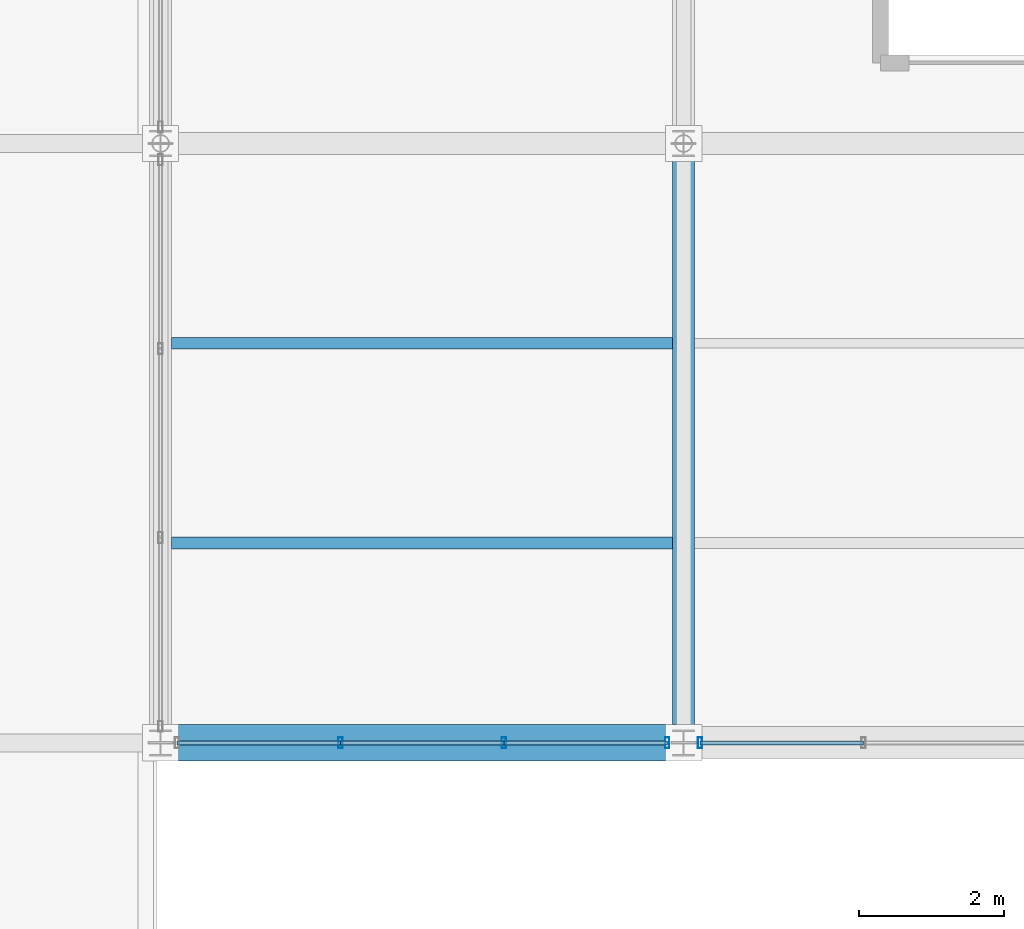
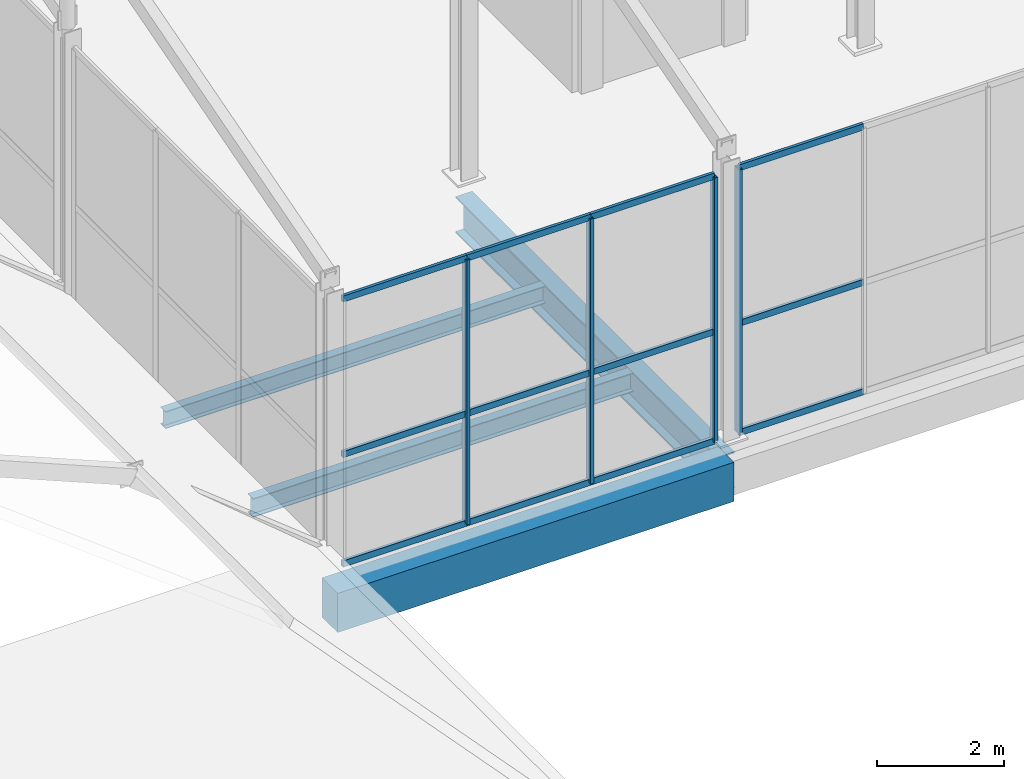
# One storey, part 19 of 141: 16 members, 4 beams, 2 elements without a shape of their own.
"""IFC4 building model written with IfcOpenShell, lengths in metres."""

from ifc_helpers import new_model, si_unit, direction, frame, origin, origin_2d, place, context, subcontext, project, spatial, rectangle, hollow_rectangle, i_section, extrude, material, layer, layer_set, material_profile, profile_set, type_object, element, aggregate, save


model = new_model("IFC4")

# Units and contexts
model_context = context("Model", 3, precision=1e-05, world=origin(), true_north=direction((0.0, 1.0)))
body_context = subcontext(model_context, "Body", "Model", "MODEL_VIEW")
ifc_project = project(units=[si_unit("LENGTHUNIT", "METRE"), si_unit("AREAUNIT", "SQUARE_METRE"), si_unit("VOLUMEUNIT", "CUBIC_METRE"), si_unit("PLANEANGLEUNIT", "RADIAN"), si_unit("MASSUNIT", "GRAM", prefix="KILO")], contexts=[model_context])

# Site, building, storey
site_placement = place(None, origin())
site = spatial("IfcSite", under=ifc_project, at=site_placement, CompositionType="ELEMENT")
building_placement = place(site_placement, origin())
building = spatial("IfcBuilding", under=site, at=building_placement, Name="Sundgate Opera House", CompositionType="ELEMENT")
storey_placement = place(building_placement, frame((0.0, 0.0, 11.39990234375)))
storey = spatial("IfcBuildingStorey", under=building, at=storey_placement, Name="L02", CompositionType="ELEMENT", Elevation=11.39990234375)

# Beams
ifc_material_1 = material(Name="Steel S355J2", Category="steel")
ifc_material_profile_1 = material_profile(ifc_material_1, i_section(OverallWidth=0.300048828125, OverallDepth=0.699951171875, WebThickness=0.01708984375, FlangeThickness=0.031982421875, at=origin_2d()), Name="HEB 700")
ifc_profile_set_1 = profile_set([ifc_material_profile_1], Name="Steel S355J2")
beam_type_1 = type_object("IfcBeamType", Name="BM-GR-HEB700", PredefinedType="BEAM", material=ifc_profile_set_1)
beam_1_placement = place(storey_placement, frame((102.60009765625, 8.25, -0.699951171875), z_axis=(0.0, 1.0, 0.0), x_axis=(-1.0, 0.0, 0.0)))
element("IfcBeam", 1, at=beam_1_placement, inside=storey, type_object=beam_type_1, Name="L02 Primary N-S Girder B1857", PredefinedType="BEAM", context=body_context, shape_type="SweptSolid", body=[
    extrude(i_section(OverallWidth=0.300048828125, OverallDepth=0.699951171875, WebThickness=0.01708984375, FlangeThickness=0.031982421875, at=origin_2d()), origin(), (0.0, 0.0, 1.0), 8.25),
])
ifc_material_2 = material(Name="Steel S355J2", Category="steel")
ifc_material_profile_2 = material_profile(ifc_material_2, i_section(OverallWidth=0.159912109375, OverallDepth=0.330078125, WebThickness=0.007568359375, FlangeThickness=0.011474609375, at=origin_2d()), Name="IPE 330")
ifc_profile_set_2 = profile_set([ifc_material_profile_2], Name="Steel S355J2")
beam_type_2 = type_object("IfcBeamType", Name="BM-JS-IPE330", PredefinedType="JOIST", material=ifc_profile_set_2)
beam_2_placement = place(storey_placement, frame((95.550048828125, 13.75, -0.514892578125), z_axis=(1.0, 0.0, 0.0), x_axis=(0.0, 1.0, 0.0)))
element("IfcBeam", 2, at=beam_2_placement, inside=storey, type_object=beam_type_2, Name="L02 Secondary Floor Joist B2146", PredefinedType="JOIST", context=body_context, shape_type="SweptSolid", body=[
    extrude(i_section(OverallWidth=0.159912109375, OverallDepth=0.330078125, WebThickness=0.007568359375, FlangeThickness=0.011474609375, at=origin_2d()), origin(), (0.0, 0.0, 1.0), 6.89990234375),
])
ifc_material_3 = material(Name="Steel S355J2", Category="steel")
ifc_material_profile_3 = material_profile(ifc_material_3, i_section(OverallWidth=0.169921875, OverallDepth=0.360107421875, WebThickness=0.008056640625, FlangeThickness=0.0126953125, at=origin_2d()), Name="IPE 360")
ifc_profile_set_3 = profile_set([ifc_material_profile_3], Name="Steel S355J2")
beam_type_3 = type_object("IfcBeamType", Name="BM-JS-IPE360", PredefinedType="JOIST", material=ifc_profile_set_3)
beam_3_placement = place(storey_placement, frame((95.550048828125, 11.0, -0.52978515625), z_axis=(1.0, 0.0, 0.0), x_axis=(0.0, 1.0, 0.0)))
element("IfcBeam", 3, at=beam_3_placement, inside=storey, type_object=beam_type_3, Name="L02 Secondary Floor Joist B2145", PredefinedType="JOIST", context=body_context, shape_type="SweptSolid", body=[
    extrude(i_section(OverallWidth=0.169921875, OverallDepth=0.360107421875, WebThickness=0.008056640625, FlangeThickness=0.0126953125, at=origin_2d()), origin(), (0.0, 0.0, 1.0), 6.89990234375),
])
ifc_material_4 = material(Name="Concrete C40/50", Category="concrete")
ifc_material_profile_4 = material_profile(ifc_material_4, rectangle(XDim=0.5, YDim=0.75, at=origin_2d()), Name="RC 500x750")
ifc_profile_set_4 = profile_set([ifc_material_profile_4], Name="Concrete C40/50")
beam_type_4 = type_object("IfcBeamType", Name="BM-RC-500x750", PredefinedType="BEAM", material=ifc_profile_set_4)
beam_4_placement = place(storey_placement, frame((95.39990234375, 8.25, -0.724853515625), z_axis=(1.0, 0.0, 0.0), x_axis=(0.0, 1.0, 0.0)))
element("IfcBeam", 4, at=beam_4_placement, inside=storey, type_object=beam_type_4, Name="L02 Primary E-W Girder B1963", PredefinedType="BEAM", context=body_context, shape_type="SweptSolid", body=[
    extrude(rectangle(XDim=0.5, YDim=0.75, at=origin_2d()), origin(), (0.0, 0.0, 1.0), 7.2001953125),
])

# Curtain wall, members
ifc_material_5 = material(Name="Anodized aluminium and low-iron glass", Category="aluminium")
ifc_layer = layer(ifc_material_5, 0.14990234375)
ifc_layer_set = layer_set([ifc_layer], Name="Anodized aluminium and low-iron glass")
curtain_wall_type = type_object("IfcCurtainWallType", Name="CW-WORKSHOP-DARK", PredefinedType="NOTDEFINED", material=ifc_layer_set)
curtain_wall_1_placement = place(storey_placement, origin())
curtain_wall_1 = element("IfcCurtainWall", 5, at=curtain_wall_1_placement, inside=storey, type_object=curtain_wall_type, Name="L02 Curtain Wall CW154", PredefinedType="NOTDEFINED")
ifc_material_6 = material(Name="Anodized aluminium EN AW-6063", Category="aluminium")
ifc_material_profile_5 = material_profile(ifc_material_6, hollow_rectangle(XDim=0.06005859375, YDim=0.14990234375, WallThickness=0.00390625, at=origin_2d()), Name="CWM 150x60x4")
ifc_profile_set_5 = profile_set([ifc_material_profile_5], Name="Anodized aluminium EN AW-6063")
member_type_1 = type_object("IfcMemberType", Name="CWM-ALU-150x60", PredefinedType="MULLION", material=ifc_profile_set_5)
member_1_placement = place(storey_placement, frame((102.375, 8.25, 0.0), z_axis=(0.0, 0.0, 1.0), x_axis=(1.0, 0.0, 0.0)))
member_1 = element("IfcMember", 6, at=member_1_placement, type_object=member_type_1, Name="CW154 Mullion 1", PredefinedType="MULLION", context=body_context, shape_type="SweptSolid", body=[
    extrude(hollow_rectangle(XDim=0.06005859375, YDim=0.14990234375, WallThickness=0.00390625, at=origin_2d()), origin(), (0.0, 0.0, 1.0), 5.085205078125),
])
member_2_placement = place(storey_placement, frame((100.125, 8.25, 0.0), z_axis=(0.0, 0.0, 1.0), x_axis=(1.0, 0.0, 0.0)))
member_2 = element("IfcMember", 7, at=member_2_placement, type_object=member_type_1, Name="CW154 Mullion 2", PredefinedType="MULLION", context=body_context, shape_type="SweptSolid", body=[
    extrude(hollow_rectangle(XDim=0.06005859375, YDim=0.14990234375, WallThickness=0.00390625, at=origin_2d()), origin(), (0.0, 0.0, 1.0), 5.085205078125),
])
member_3_placement = place(storey_placement, frame((97.875, 8.25, 0.0), z_axis=(0.0, 0.0, 1.0), x_axis=(1.0, 0.0, 0.0)))
member_3 = element("IfcMember", 8, at=member_3_placement, type_object=member_type_1, Name="CW154 Mullion 3", PredefinedType="MULLION", context=body_context, shape_type="SweptSolid", body=[
    extrude(hollow_rectangle(XDim=0.06005859375, YDim=0.14990234375, WallThickness=0.00390625, at=origin_2d()), origin(), (0.0, 0.0, 1.0), 5.085205078125),
])

# Curtain wall, member
curtain_wall_2_placement = place(storey_placement, origin())
curtain_wall_2 = element("IfcCurtainWall", 9, at=curtain_wall_2_placement, inside=storey, type_object=curtain_wall_type, Name="L02 Curtain Wall CW155", PredefinedType="NOTDEFINED")
member_4_placement = place(storey_placement, frame((102.824951171875, 8.25, 0.0), z_axis=(0.0, 0.0, 1.0), x_axis=(1.0, 0.0, 0.0)))
member_4 = element("IfcMember", 10, at=member_4_placement, type_object=member_type_1, Name="CW155 Mullion 4", PredefinedType="MULLION", context=body_context, shape_type="SweptSolid", body=[
    extrude(hollow_rectangle(XDim=0.06005859375, YDim=0.14990234375, WallThickness=0.00390625, at=origin_2d()), origin(), (0.0, 0.0, 1.0), 5.085205078125),
])

# Member
ifc_material_7 = material(Name="Anodized aluminium EN AW-6063", Category="aluminium")
ifc_material_profile_6 = material_profile(ifc_material_7, hollow_rectangle(XDim=0.054931640625, YDim=0.1201171875, WallThickness=0.00390625, at=origin_2d()), Name="CWT 120x55x4")
ifc_profile_set_6 = profile_set([ifc_material_profile_6], Name="Anodized aluminium EN AW-6063")
member_type_2 = type_object("IfcMemberType", Name="CWT-ALU-120x55", PredefinedType="USERDEFINED", material=ifc_profile_set_6)
member_5_placement = place(storey_placement, frame((102.375, 8.25, 0.0), z_axis=(-1.0, 0.0, 0.0), x_axis=(0.0, -1.0, 0.0)))
member_5 = element("IfcMember", 11, at=member_5_placement, type_object=member_type_2, Name="CW154 Transom 1", ObjectType="TRANSOM", PredefinedType="USERDEFINED", context=body_context, shape_type="SweptSolid", body=[
    extrude(hollow_rectangle(XDim=0.054931640625, YDim=0.1201171875, WallThickness=0.00390625, at=origin_2d()), origin(), (0.0, 0.0, 1.0), 2.25),
])

member_6_placement = place(storey_placement, frame((102.375, 8.25, 2.10009765625), z_axis=(-1.0, 0.0, 0.0), x_axis=(0.0, -1.0, 0.0)))
member_6 = element("IfcMember", 12, at=member_6_placement, type_object=member_type_2, Name="CW154 Transom 2", ObjectType="TRANSOM", PredefinedType="USERDEFINED", context=body_context, shape_type="SweptSolid", body=[
    extrude(hollow_rectangle(XDim=0.054931640625, YDim=0.1201171875, WallThickness=0.00390625, at=origin_2d()), origin(), (0.0, 0.0, 1.0), 2.25),
])

member_7_placement = place(storey_placement, frame((102.375, 8.25, 5.085205078125), z_axis=(-1.0, 0.0, 0.0), x_axis=(0.0, -1.0, 0.0)))
member_7 = element("IfcMember", 13, at=member_7_placement, type_object=member_type_2, Name="CW154 Transom 3", ObjectType="TRANSOM", PredefinedType="USERDEFINED", context=body_context, shape_type="SweptSolid", body=[
    extrude(hollow_rectangle(XDim=0.054931640625, YDim=0.1201171875, WallThickness=0.00390625, at=origin_2d()), origin(), (0.0, 0.0, 1.0), 2.25),
])

member_8_placement = place(storey_placement, frame((100.125, 8.25, 0.0), z_axis=(-1.0, 0.0, 0.0), x_axis=(0.0, -1.0, 0.0)))
member_8 = element("IfcMember", 14, at=member_8_placement, type_object=member_type_2, Name="CW154 Transom 4", ObjectType="TRANSOM", PredefinedType="USERDEFINED", context=body_context, shape_type="SweptSolid", body=[
    extrude(hollow_rectangle(XDim=0.054931640625, YDim=0.1201171875, WallThickness=0.00390625, at=origin_2d()), origin(), (0.0, 0.0, 1.0), 2.25),
])

member_9_placement = place(storey_placement, frame((100.125, 8.25, 2.10009765625), z_axis=(-1.0, 0.0, 0.0), x_axis=(0.0, -1.0, 0.0)))
member_9 = element("IfcMember", 15, at=member_9_placement, type_object=member_type_2, Name="CW154 Transom 5", ObjectType="TRANSOM", PredefinedType="USERDEFINED", context=body_context, shape_type="SweptSolid", body=[
    extrude(hollow_rectangle(XDim=0.054931640625, YDim=0.1201171875, WallThickness=0.00390625, at=origin_2d()), origin(), (0.0, 0.0, 1.0), 2.25),
])

member_10_placement = place(storey_placement, frame((100.125, 8.25, 5.085205078125), z_axis=(-1.0, 0.0, 0.0), x_axis=(0.0, -1.0, 0.0)))
member_10 = element("IfcMember", 16, at=member_10_placement, type_object=member_type_2, Name="CW154 Transom 6", ObjectType="TRANSOM", PredefinedType="USERDEFINED", context=body_context, shape_type="SweptSolid", body=[
    extrude(hollow_rectangle(XDim=0.054931640625, YDim=0.1201171875, WallThickness=0.00390625, at=origin_2d()), origin(), (0.0, 0.0, 1.0), 2.25),
])

member_11_placement = place(storey_placement, frame((97.875, 8.25, 0.0), z_axis=(-1.0, 0.0, 0.0), x_axis=(0.0, -1.0, 0.0)))
member_11 = element("IfcMember", 17, at=member_11_placement, type_object=member_type_2, Name="CW154 Transom 7", ObjectType="TRANSOM", PredefinedType="USERDEFINED", context=body_context, shape_type="SweptSolid", body=[
    extrude(hollow_rectangle(XDim=0.054931640625, YDim=0.1201171875, WallThickness=0.00390625, at=origin_2d()), origin(), (0.0, 0.0, 1.0), 2.25),
])

member_12_placement = place(storey_placement, frame((97.875, 8.25, 2.10009765625), z_axis=(-1.0, 0.0, 0.0), x_axis=(0.0, -1.0, 0.0)))
member_12 = element("IfcMember", 18, at=member_12_placement, type_object=member_type_2, Name="CW154 Transom 8", ObjectType="TRANSOM", PredefinedType="USERDEFINED", context=body_context, shape_type="SweptSolid", body=[
    extrude(hollow_rectangle(XDim=0.054931640625, YDim=0.1201171875, WallThickness=0.00390625, at=origin_2d()), origin(), (0.0, 0.0, 1.0), 2.25),
])

member_13_placement = place(storey_placement, frame((97.875, 8.25, 5.085205078125), z_axis=(-1.0, 0.0, 0.0), x_axis=(0.0, -1.0, 0.0)))
member_13 = element("IfcMember", 19, at=member_13_placement, type_object=member_type_2, Name="CW154 Transom 9", ObjectType="TRANSOM", PredefinedType="USERDEFINED", context=body_context, shape_type="SweptSolid", body=[
    extrude(hollow_rectangle(XDim=0.054931640625, YDim=0.1201171875, WallThickness=0.00390625, at=origin_2d()), origin(), (0.0, 0.0, 1.0), 2.25),
])

aggregate(curtain_wall_1, [member_1, member_2, member_3, member_5, member_6, member_7, member_8, member_9, member_10, member_11, member_12, member_13])

member_14_placement = place(storey_placement, frame((105.074951171875, 8.25, 0.0), z_axis=(-1.0, 0.0, 0.0), x_axis=(0.0, -1.0, 0.0)))
member_14 = element("IfcMember", 20, at=member_14_placement, type_object=member_type_2, Name="CW155 Transom 7", ObjectType="TRANSOM", PredefinedType="USERDEFINED", context=body_context, shape_type="SweptSolid", body=[
    extrude(hollow_rectangle(XDim=0.054931640625, YDim=0.1201171875, WallThickness=0.00390625, at=origin_2d()), origin(), (0.0, 0.0, 1.0), 2.25),
])

member_15_placement = place(storey_placement, frame((105.074951171875, 8.25, 2.10009765625), z_axis=(-1.0, 0.0, 0.0), x_axis=(0.0, -1.0, 0.0)))
member_15 = element("IfcMember", 21, at=member_15_placement, type_object=member_type_2, Name="CW155 Transom 8", ObjectType="TRANSOM", PredefinedType="USERDEFINED", context=body_context, shape_type="SweptSolid", body=[
    extrude(hollow_rectangle(XDim=0.054931640625, YDim=0.1201171875, WallThickness=0.00390625, at=origin_2d()), origin(), (0.0, 0.0, 1.0), 2.25),
])

member_16_placement = place(storey_placement, frame((105.074951171875, 8.25, 5.085205078125), z_axis=(-1.0, 0.0, 0.0), x_axis=(0.0, -1.0, 0.0)))
member_16 = element("IfcMember", 22, at=member_16_placement, type_object=member_type_2, Name="CW155 Transom 9", ObjectType="TRANSOM", PredefinedType="USERDEFINED", context=body_context, shape_type="SweptSolid", body=[
    extrude(hollow_rectangle(XDim=0.054931640625, YDim=0.1201171875, WallThickness=0.00390625, at=origin_2d()), origin(), (0.0, 0.0, 1.0), 2.25),
])

aggregate(curtain_wall_2, [member_4, member_14, member_15, member_16])

save(model, "model.ifc")
